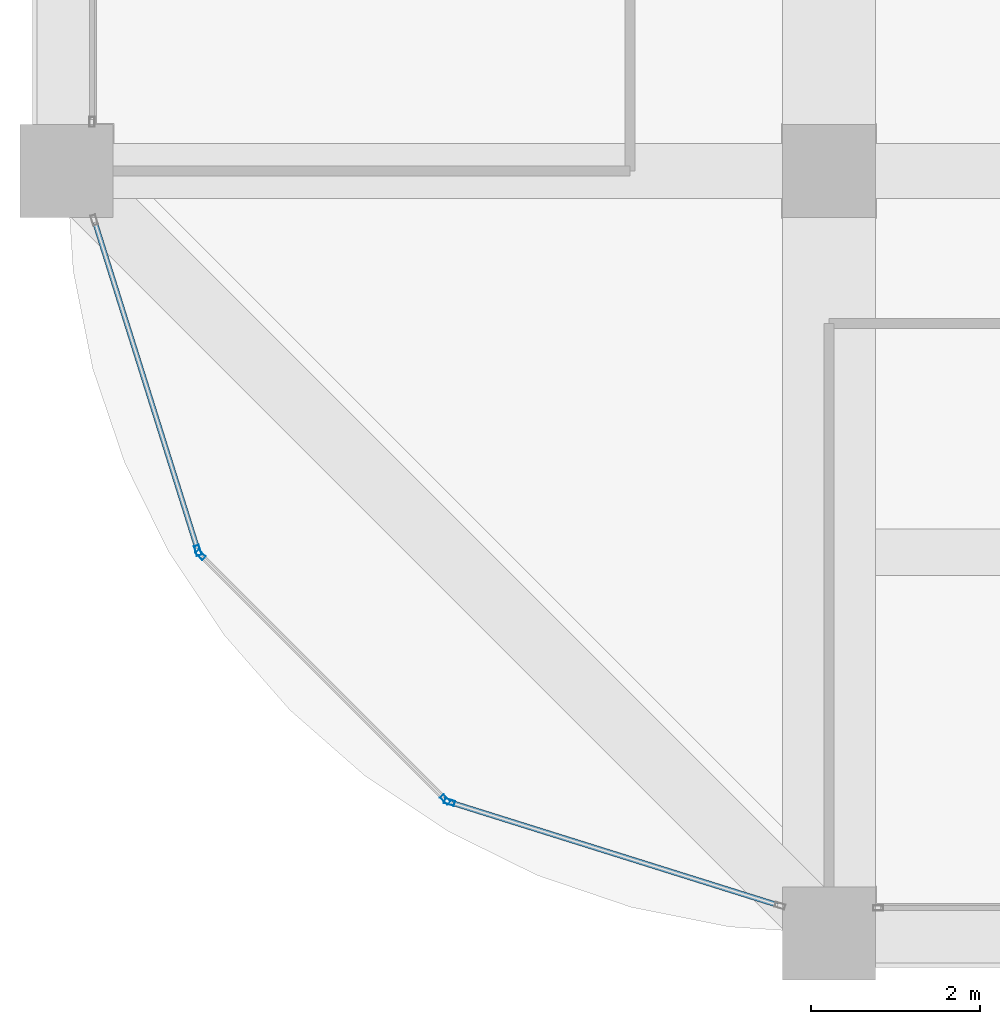
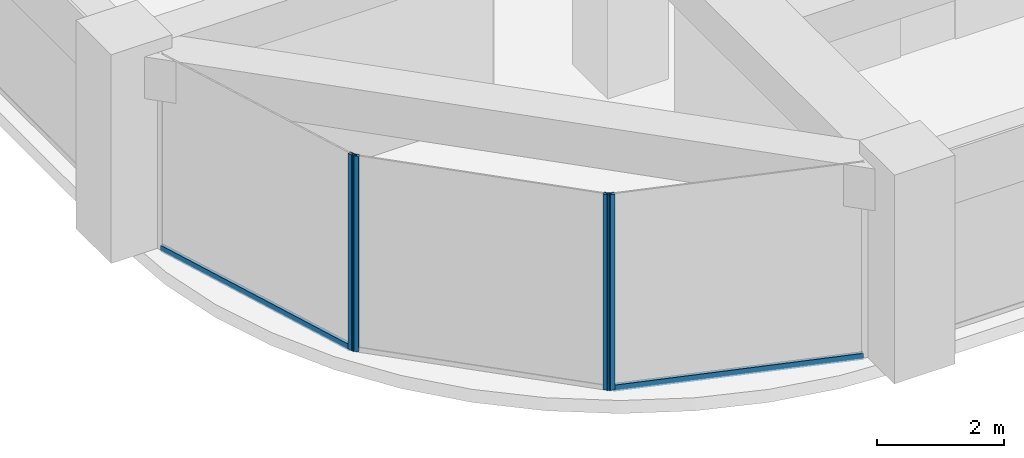
# One storey, part 2 of 44: 6 members, 3 elements without a shape of their own.
"""IFC4 building model written with IfcOpenShell, lengths in metres."""

import ifcopenshell
import ifcopenshell.guid

model = None  # the IFC model being written
_history = None  # IfcOwnerHistory: only IFC2X3 demands one
_inside = {}  # id of a spatial element -> (the spatial element, [elements in it])
_under = {}  # id of a project, library or spatial element -> (it, [spatial elements below it])
_declared = {}  # id of a project -> (the project, [libraries it declares])
_typed = {}  # id of a type object -> (the type object, [elements of that type])
_made_of = {}  # id of a material, layer set ... -> (it, [elements and type objects made of it])


def new_model(schema):
    """Start an empty IFC model of exactly this schema.

    Asked for "IFC4X3", IfcOpenShell would pick the latest addendum, in which some entities
    have other attributes; the version numbers below select the first issue.
    IFC2X3 requires an IfcOwnerHistory on every rooted entity: one is made here for all.
    """
    global model, _history
    if schema == "IFC4X3":
        model = ifcopenshell.file(schema_version=(4, 3, 0, 0))
    else:
        model = ifcopenshell.file(schema=schema)
    _inside.clear()
    _under.clear()
    _declared.clear()
    _typed.clear()
    _made_of.clear()
    _history = None
    if model.schema == "IFC2X3":
        org = make("IfcOrganization", Name="unknown")
        user = make(
            "IfcPersonAndOrganization",
            ThePerson=make("IfcPerson", FamilyName="unknown"),
            TheOrganization=org,
        )
        app = make(
            "IfcApplication",
            ApplicationDeveloper=org,
            Version="unknown",
            ApplicationFullName="unknown",
            ApplicationIdentifier="unknown",
        )
        _history = make(
            "IfcOwnerHistory",
            OwningUser=user,
            OwningApplication=app,
            ChangeAction="ADDED",
            CreationDate=0,
        )
    return model


def make(cls, **values):
    """One entity of the class cls with the attributes given. An attribute that is None is left unset."""
    return model.create_entity(
        cls, **{name: value for name, value in values.items() if value is not None}
    )


def rooted(cls, **values):
    """An entity with a GlobalId (a new one), such as an element, a storey or a relation."""
    return make(cls, GlobalId=ifcopenshell.guid.new(), OwnerHistory=_history, **values)


def si_unit(unit_type, name, prefix=None):
    """IfcSIUnit, for example si_unit("LENGTHUNIT", "METRE", prefix="MILLI")."""
    return make("IfcSIUnit", UnitType=unit_type, Prefix=prefix, Name=name)


def assignment(units):
    """IfcUnitAssignment: the units of a project."""
    return None if units is None else make("IfcUnitAssignment", Units=units)


def point(xyz):
    """IfcCartesianPoint."""
    return None if xyz is None else make("IfcCartesianPoint", Coordinates=xyz)


def direction(xyz):
    """IfcDirection."""
    return None if xyz is None else make("IfcDirection", DirectionRatios=xyz)


def frame(location, z_axis=None, x_axis=None):
    """IfcAxis2Placement3D, a coordinate frame: its origin and axes. An axis left out is left unset."""
    return make(
        "IfcAxis2Placement3D",
        Location=point(location),
        Axis=direction(z_axis),
        RefDirection=direction(x_axis),
    )


def frame_2d(location, x_axis=None):
    """IfcAxis2Placement2D, a coordinate frame in the plane: its origin and x axis."""
    return make(
        "IfcAxis2Placement2D", Location=point(location), RefDirection=direction(x_axis)
    )


def origin():
    """The frame at (0, 0, 0) with its axes left unset."""
    return frame((0.0, 0.0, 0.0))


def origin_2d():
    """The frame at (0, 0) in the plane with its x axis left unset."""
    return frame_2d((0.0, 0.0))


def place(relative_to, where):
    """IfcLocalPlacement: puts the frame where relative to a parent placement (None: the world)."""
    return make(
        "IfcLocalPlacement", PlacementRelTo=relative_to, RelativePlacement=where
    )


def context(
    kind, dimensions, precision=None, world=None, true_north=None, identifier=None
):
    """IfcGeometricRepresentationContext, for example the 3D "Model" context."""
    return make(
        "IfcGeometricRepresentationContext",
        ContextIdentifier=identifier,
        ContextType=kind,
        CoordinateSpaceDimension=dimensions,
        Precision=precision,
        WorldCoordinateSystem=world,
        TrueNorth=true_north,
    )


def subcontext(parent, identifier, kind, view, scale=None):
    """IfcGeometricRepresentationSubContext, for example "Body" below "Model"."""
    return make(
        "IfcGeometricRepresentationSubContext",
        ContextIdentifier=identifier,
        ContextType=kind,
        ParentContext=parent,
        TargetScale=scale,
        TargetView=view,
    )


def project(units=None, contexts=None):
    """IfcProject with its units and contexts."""
    return rooted(
        "IfcProject",
        Name="project",
        RepresentationContexts=contexts,
        UnitsInContext=assignment(units),
    )


def spatial(cls, under=None, at=None, **own):
    """A site, building, storey or space (cls), placed at a placement, below another one or the project."""
    s = rooted(cls, ObjectPlacement=at, **own)
    if under is not None:
        _under.setdefault(under.id(), (under, []))[1].append(s)
    return s


def profile(cls, at=None, kind="AREA", **sizes):
    """A parametric profile (cls). Its sizes go by their IFC names, for example OverallWidth=200.0."""
    return make(cls, ProfileType=kind, Position=at, **sizes)


def hollow_rectangle(**sizes):
    """IfcRectangleHollowProfileDef."""
    return profile("IfcRectangleHollowProfileDef", **sizes)


def extrude(swept, where, along, depth):
    """IfcExtrudedAreaSolid: the profile swept, set in the frame where, extruded along a direction by depth."""
    return make(
        "IfcExtrudedAreaSolid",
        SweptArea=swept,
        Position=where,
        ExtrudedDirection=direction(along),
        Depth=depth,
    )


def shape(context_of_items, identifier, shape_type, items):
    """IfcShapeRepresentation: the items that make up one representation, for example the "Body"."""
    return make(
        "IfcShapeRepresentation",
        ContextOfItems=context_of_items,
        RepresentationIdentifier=identifier,
        RepresentationType=shape_type,
        Items=items,
    )


def material(Name=None, Category=None):
    """IfcMaterial."""
    return make("IfcMaterial", Name=Name, Category=Category)


def material_profile(
    of_material, cross_section, Name=None, Category=None, Priority=None
):
    """IfcMaterialProfile: a cross section and its material."""
    return make(
        "IfcMaterialProfile",
        Name=Name,
        Material=of_material,
        Profile=cross_section,
        Priority=Priority,
        Category=Category,
    )


def profile_set(profiles, Name=None, composite=None):
    """IfcMaterialProfileSet."""
    return make(
        "IfcMaterialProfileSet",
        Name=Name,
        MaterialProfiles=profiles,
        CompositeProfile=composite,
    )


def made_of(thing, what):
    """Note that an element or type object is made of a material, layer set ...; save() writes the relation."""
    if what is not None:
        _made_of.setdefault(what.id(), (what, []))[1].append(thing)
    return thing


def type_object(cls, material=None, **own):
    """A type object (cls), such as IfcWallType, which elements share."""
    return made_of(rooted(cls, **own), material)


def element(
    cls,
    number,
    at=None,
    inside=None,
    cuts=None,
    type_object=None,
    material=None,
    context=None,
    identifier="Body",
    shape_type=None,
    held_by="IfcProductDefinitionShape",
    body=None,
    shapes=None,
    **own,
):
    """One element of the class cls, such as IfcWall. Its Tag is "e" and its number.

    at: its placement. inside: the storey or other place that contains it. cuts: it is an
    opening in that element (IfcRelVoidsElement). A single representation is given by context,
    identifier, shape_type and body (its items); several are given by shapes. held_by: the class
    of the entity that holds the representations. save() writes the other relations.
    """
    e = rooted(cls, Tag="e%d" % number, ObjectPlacement=at, **own)
    if body is not None:
        shapes = [shape(context, identifier, shape_type, body)]
    if shapes is not None:
        e.Representation = make(held_by, Representations=shapes)
    if inside is not None:
        _inside.setdefault(inside.id(), (inside, []))[1].append(e)
    if cuts is not None:
        rooted(
            "IfcRelVoidsElement", RelatingBuildingElement=cuts, RelatedOpeningElement=e
        )
    if type_object is not None:
        _typed.setdefault(type_object.id(), (type_object, []))[1].append(e)
    return made_of(e, material)


def aggregate(whole, parts):
    """IfcRelAggregates: a whole, such as a stair, and the parts it consists of."""
    return rooted("IfcRelAggregates", RelatingObject=whole, RelatedObjects=parts)


def save(model, path):
    """Write the relations noted so far, then the file.

    IfcRelAggregates (storeys below a building ...), IfcRelContainedInSpatialStructure (elements
    in a storey), IfcRelDefinesByType, IfcRelAssociatesMaterial and IfcRelDeclares: one each for
    every whole, place, type object, material and project.
    """
    for whole, parts in _under.values():
        aggregate(whole, parts)
    for where, things in _inside.values():
        rooted(
            "IfcRelContainedInSpatialStructure",
            RelatedElements=things,
            RelatingStructure=where,
        )
    for kind, things in _typed.values():
        rooted("IfcRelDefinesByType", RelatedObjects=things, RelatingType=kind)
    for what, things in _made_of.values():
        rooted("IfcRelAssociatesMaterial", RelatedObjects=things, RelatingMaterial=what)
    for by, libraries in _declared.values():
        rooted("IfcRelDeclares", RelatingContext=by, RelatedDefinitions=libraries)
    model.write(path)


model = new_model("IFC4")

# Units and contexts
model_context = context("Model", 3, precision=1e-05, world=origin(), true_north=direction((0.0, 1.0)))
body_context = subcontext(model_context, "Body", "Model", "MODEL_VIEW")
ifc_project = project(units=[si_unit("LENGTHUNIT", "METRE"), si_unit("AREAUNIT", "SQUARE_METRE"), si_unit("VOLUMEUNIT", "CUBIC_METRE"), si_unit("PLANEANGLEUNIT", "RADIAN"), si_unit("MASSUNIT", "GRAM", prefix="KILO")], contexts=[model_context])

# Site, building, storey
site_placement = place(None, origin())
site = spatial("IfcSite", under=ifc_project, at=site_placement, CompositionType="ELEMENT")
building_placement = place(site_placement, origin())
building = spatial("IfcBuilding", under=site, at=building_placement, Name="Zorevar Civic Tower", CompositionType="ELEMENT")
storey_placement = place(building_placement, frame((0.0, 0.0, 271.39990234375)))
storey = spatial("IfcBuildingStorey", under=building, at=storey_placement, Name="L66", CompositionType="ELEMENT", Elevation=271.39990234375)

# Curtain wall, member
ifc_material_1 = material(Name="Dark grey solar-control glass in black aluminium frame", Category="aluminium")
curtain_wall_type = type_object("IfcCurtainWallType", Name="Curtain wall CW5 top zone", PredefinedType="NOTDEFINED", material=ifc_material_1)
curtain_wall_1_placement = place(storey_placement, origin())
curtain_wall_1 = element("IfcCurtainWall", 1, at=curtain_wall_1_placement, inside=storey, type_object=curtain_wall_type, Name="CW5 L66", PredefinedType="NOTDEFINED")
ifc_material_2 = material(Name="Aluminium, black anodised", Category="aluminium")
ifc_material_profile_1 = material_profile(ifc_material_2, hollow_rectangle(XDim=0.06005859375, YDim=0.1201171875, WallThickness=0.0029296875, at=origin_2d()), Name="AL 120x60x3")
ifc_profile_set_1 = profile_set([ifc_material_profile_1], Name="Aluminium, black anodised")
member_type_1 = type_object("IfcMemberType", Name="CW5 mullion AL 120x60x3", PredefinedType="MULLION", material=ifc_profile_set_1)
member_1_placement = place(storey_placement, frame((10.550048828125, 4.520751953125, 0.0), z_axis=(0.0, 0.0, 1.0), x_axis=(0.954153437674, 0.299317920238, 0.0)))
member_1 = element("IfcMember", 2, at=member_1_placement, type_object=member_type_1, Name="CW5 mullion 2", PredefinedType="MULLION", context=body_context, shape_type="SweptSolid", body=[
    extrude(hollow_rectangle(XDim=0.06005859375, YDim=0.1201171875, WallThickness=0.0029296875, at=origin_2d()), origin(), (0.0, 0.0, 1.0), 3.75),
])

# Curtain wall, members
curtain_wall_2_placement = place(storey_placement, origin())
curtain_wall_2 = element("IfcCurtainWall", 3, at=curtain_wall_2_placement, inside=storey, type_object=curtain_wall_type, Name="CW5 L66", PredefinedType="NOTDEFINED")
member_2_placement = place(storey_placement, frame((10.580322265625, 4.470947265625, 0.0), z_axis=(0.0, 0.0, 1.0), x_axis=(0.707106781187, 0.707106781187, 0.0)))
member_2 = element("IfcMember", 4, at=member_2_placement, type_object=member_type_1, Name="CW5 mullion 1", PredefinedType="MULLION", context=body_context, shape_type="SweptSolid", body=[
    extrude(hollow_rectangle(XDim=0.06005859375, YDim=0.1201171875, WallThickness=0.0029296875, at=origin_2d()), origin(), (0.0, 0.0, 1.0), 3.75),
])
member_3_placement = place(storey_placement, frame((13.470947265625, 1.580322265625, 0.0), z_axis=(0.0, 0.0, 1.0), x_axis=(0.707106781187, 0.707106781187, 0.0)))
member_3 = element("IfcMember", 5, at=member_3_placement, type_object=member_type_1, Name="CW5 mullion 2", PredefinedType="MULLION", context=body_context, shape_type="SweptSolid", body=[
    extrude(hollow_rectangle(XDim=0.06005859375, YDim=0.1201171875, WallThickness=0.0029296875, at=origin_2d()), origin(), (0.0, 0.0, 1.0), 3.75),
])
aggregate(curtain_wall_2, [member_2, member_3])

# Curtain wall, member
curtain_wall_3_placement = place(storey_placement, origin())
curtain_wall_3 = element("IfcCurtainWall", 6, at=curtain_wall_3_placement, inside=storey, type_object=curtain_wall_type, Name="CW5 L66", PredefinedType="NOTDEFINED")
member_4_placement = place(storey_placement, frame((13.520751953125, 1.550048828125, 0.0), z_axis=(0.0, 0.0, 1.0), x_axis=(0.299317920238, 0.954153437674, 0.0)))
member_4 = element("IfcMember", 7, at=member_4_placement, type_object=member_type_1, Name="CW5 mullion 1", PredefinedType="MULLION", context=body_context, shape_type="SweptSolid", body=[
    extrude(hollow_rectangle(XDim=0.06005859375, YDim=0.1201171875, WallThickness=0.0029296875, at=origin_2d()), origin(), (0.0, 0.0, 1.0), 3.75),
])

# Member
ifc_material_3 = material(Name="Aluminium, black anodised", Category="aluminium")
ifc_material_profile_2 = material_profile(ifc_material_3, hollow_rectangle(XDim=0.06005859375, YDim=0.1201171875, WallThickness=0.0029296875, at=origin_2d()), Name="AL 120x60x3")
ifc_profile_set_2 = profile_set([ifc_material_profile_2], Name="Aluminium, black anodised")
member_type_2 = type_object("IfcMemberType", Name="CW5 transom AL 120x60x3", PredefinedType="USERDEFINED", material=ifc_profile_set_2)
member_5_placement = place(storey_placement, frame((9.33544921875, 8.392822265625, 0.030029296875), z_axis=(0.299285978047, -0.954163457351, 0.0), x_axis=(0.954163457351, 0.299285978047, 0.0)))
member_5 = element("IfcMember", 8, at=member_5_placement, type_object=member_type_2, Name="CW5 sill transom", ObjectType="TRANSOM", PredefinedType="USERDEFINED", context=body_context, shape_type="SweptSolid", body=[
    extrude(hollow_rectangle(XDim=0.06005859375, YDim=0.1201171875, WallThickness=0.0029296875, at=origin_2d()), origin(), (0.0, 0.0, 1.0), 4.028076171875),
])

aggregate(curtain_wall_1, [member_1, member_5])

member_6_placement = place(storey_placement, frame((13.54931640625, 1.541015625, 0.030029296875), z_axis=(0.954163457351, -0.299285978047, 0.0), x_axis=(0.299285978047, 0.954163457351, 0.0)))
member_6 = element("IfcMember", 9, at=member_6_placement, type_object=member_type_2, Name="CW5 sill transom", ObjectType="TRANSOM", PredefinedType="USERDEFINED", context=body_context, shape_type="SweptSolid", body=[
    extrude(hollow_rectangle(XDim=0.06005859375, YDim=0.1201171875, WallThickness=0.0029296875, at=origin_2d()), origin(), (0.0, 0.0, 1.0), 4.028076171875),
])

aggregate(curtain_wall_3, [member_4, member_6])

save(model, "model.ifc")
